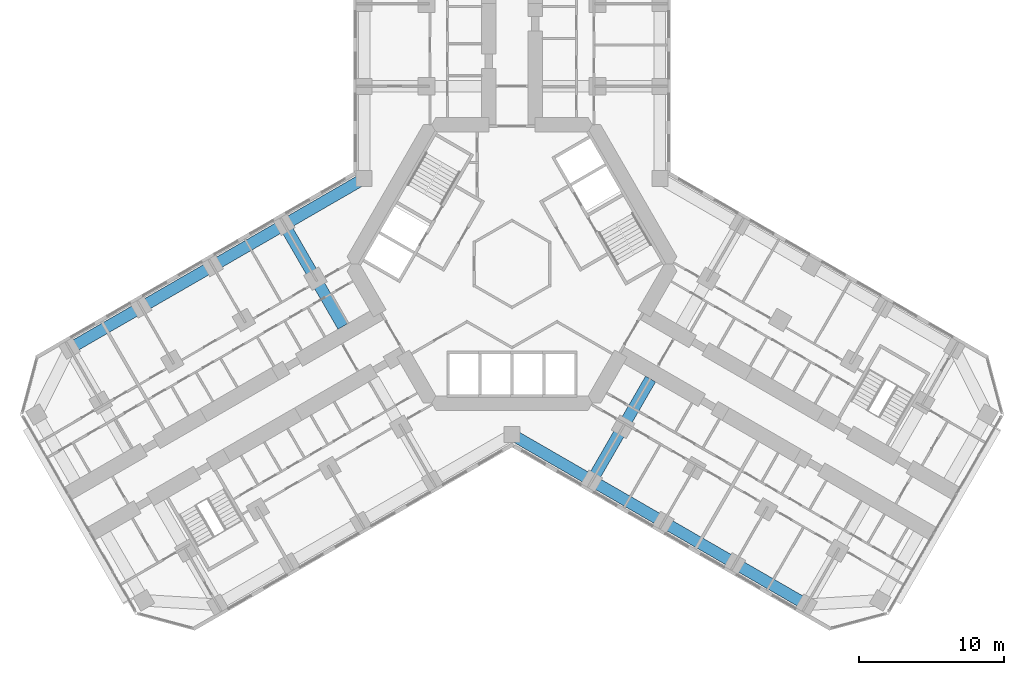
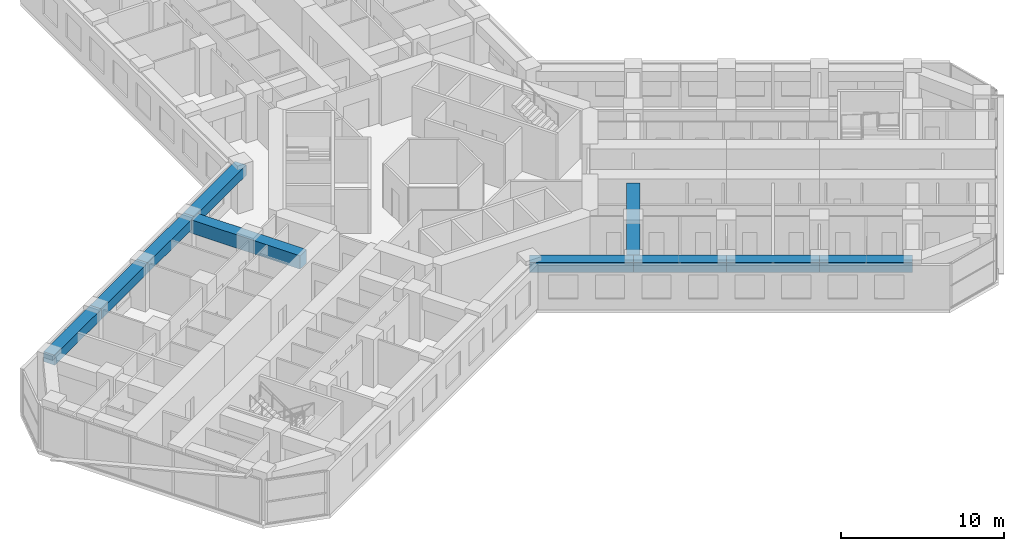
# One storey, part 4 of 21: 10 beams.
"""IFC4 building model written with IfcOpenShell, lengths in metres."""

from ifc_helpers import new_model, si_unit, direction, frame, origin, origin_2d, place, context, subcontext, project, spatial, rectangle, extrude, material, material_profile, profile_set, type_object, element, save


model = new_model("IFC4")

# Units and contexts
model_context = context("Model", 3, precision=1e-05, world=origin(), true_north=direction((0.0, 1.0)))
body_context = subcontext(model_context, "Body", "Model", "MODEL_VIEW")
ifc_project = project(units=[si_unit("LENGTHUNIT", "METRE"), si_unit("AREAUNIT", "SQUARE_METRE"), si_unit("VOLUMEUNIT", "CUBIC_METRE"), si_unit("PLANEANGLEUNIT", "RADIAN"), si_unit("MASSUNIT", "GRAM", prefix="KILO")], contexts=[model_context])

# Site, building, storey
site_placement = place(None, origin())
site = spatial("IfcSite", under=ifc_project, at=site_placement, CompositionType="ELEMENT")
building_placement = place(site_placement, origin())
building = spatial("IfcBuilding", under=site, at=building_placement, Name="Kosmar Iwan School Tower", CompositionType="ELEMENT")
storey_placement = place(building_placement, frame((0.0, 0.0, 28.800048828125)))
storey = spatial("IfcBuildingStorey", under=building, at=storey_placement, Name="L06", CompositionType="ELEMENT", Elevation=28.800048828125)

# Beams
ifc_material_1 = material(Name="Concrete C50/60", Category="concrete")
ifc_material_profile_1 = material_profile(ifc_material_1, rectangle(XDim=0.800048828125, YDim=0.75, at=origin_2d()), Name="RC 800x750 + HD 400x634")
ifc_profile_set_1 = profile_set([ifc_material_profile_1], Name="Concrete C50/60")
beam_type_1 = type_object("IfcBeamType", Name="Composite edge beam 800x750 HD 400x634", PredefinedType="BEAM", material=ifc_profile_set_1)
beam_1_placement = place(storey_placement, frame((-10.199951171875, 5.888916015625, 2.925048828125), z_axis=(-0.866030912664, -0.49999045822, 0.0), x_axis=(0.49999045822, -0.866030912664, 0.0)))
element("IfcBeam", 1, at=beam_1_placement, inside=storey, type_object=beam_type_1, Name="Edge beam BR1", PredefinedType="BEAM", context=body_context, shape_type="SweptSolid", body=[
    extrude(rectangle(XDim=0.800048828125, YDim=0.75, at=origin_2d()), origin(), (0.0, 0.0, 1.0), 6.36083984375),
])
beam_2_placement = place(storey_placement, frame((-15.708740234375, 2.70849609375, 2.925048828125), z_axis=(-0.866025820012, -0.499999279071, 0.0), x_axis=(0.499999279071, -0.866025820012, 0.0)))
element("IfcBeam", 2, at=beam_2_placement, inside=storey, type_object=beam_type_1, Name="Edge beam BR2", PredefinedType="BEAM", context=body_context, shape_type="SweptSolid", body=[
    extrude(rectangle(XDim=0.800048828125, YDim=0.75, at=origin_2d()), origin(), (0.0, 0.0, 1.0), 5.7001953125),
])
for number, where, z_axis, x_axis, name in (
    (3, (-20.645263671875, -0.1416015625, 2.925048828125), (-0.866033658841, -0.49998570155, 0.0), (0.49998570155, -0.866033658841, 0.0), "Edge beam BR3"),
    (4, (-25.58154296875, -2.991455078125, 2.925048828125), (-0.866015111908, -0.50001782563, 0.0), (0.50001782563, -0.866015111908, 0.0), "Edge beam BR4"),
):
    element("IfcBeam", number, at=place(storey_placement, frame(where, z_axis=z_axis, x_axis=x_axis)), inside=storey, type_object=beam_type_1, Name=name, PredefinedType="BEAM", context=body_context, shape_type="SweptSolid", body=[
        extrude(rectangle(XDim=0.800048828125, YDim=0.75, at=origin_2d()), origin(), (0.0, 0.0, 1.0), 5.699951171875),
    ])
beam_3_placement = place(storey_placement, frame((0.0, -11.77783203125, 2.925048828125), z_axis=(0.866014293216, -0.500019243575, 0.0), x_axis=(0.500019243575, 0.866014293216, 0.0)))
element("IfcBeam", 5, at=beam_3_placement, inside=storey, type_object=beam_type_1, Name="Edge beam CR1", PredefinedType="BEAM", context=body_context, shape_type="SweptSolid", body=[
    extrude(rectangle(XDim=0.800048828125, YDim=0.75, at=origin_2d()), origin(), (0.0, 0.0, 1.0), 6.361083984375),
])
beam_4_placement = place(storey_placement, frame((5.5087890625, -14.95849609375, 2.925048828125), z_axis=(0.866033658841, -0.49998570155, 0.0), x_axis=(0.49998570155, 0.866033658841, 0.0)))
element("IfcBeam", 6, at=beam_4_placement, inside=storey, type_object=beam_type_1, Name="Edge beam CR2", PredefinedType="BEAM", context=body_context, shape_type="SweptSolid", body=[
    extrude(rectangle(XDim=0.800048828125, YDim=0.75, at=origin_2d()), origin(), (0.0, 0.0, 1.0), 5.699951171875),
])
beam_5_placement = place(storey_placement, frame((10.445068359375, -17.808349609375, 2.925048828125), z_axis=(0.866025820012, -0.499999279071, 0.0), x_axis=(0.499999279071, 0.866025820012, 0.0)))
element("IfcBeam", 7, at=beam_5_placement, inside=storey, type_object=beam_type_1, Name="Edge beam CR3", PredefinedType="BEAM", context=body_context, shape_type="SweptSolid", body=[
    extrude(rectangle(XDim=0.800048828125, YDim=0.75, at=origin_2d()), origin(), (0.0, 0.0, 1.0), 5.7001953125),
])
beam_6_placement = place(storey_placement, frame((15.381591796875, -20.658447265625, 2.925048828125), z_axis=(0.866015111908, -0.50001782563, 0.0), x_axis=(0.50001782563, 0.866015111908, 0.0)))
element("IfcBeam", 8, at=beam_6_placement, inside=storey, type_object=beam_type_1, Name="Edge beam CR4", PredefinedType="BEAM", context=body_context, shape_type="SweptSolid", body=[
    extrude(rectangle(XDim=0.800048828125, YDim=0.75, at=origin_2d()), origin(), (0.0, 0.0, 1.0), 5.699951171875),
])
ifc_material_2 = material(Name="Concrete C50/60", Category="concrete")
ifc_material_profile_2 = material_profile(ifc_material_2, rectangle(XDim=0.800048828125, YDim=1.0, at=origin_2d()), Name="RC 800x1000 + HD 400x634")
ifc_profile_set_2 = profile_set([ifc_material_profile_2], Name="Concrete C50/60")
beam_type_2 = type_object("IfcBeamType", Name="Composite transverse beam 800x1000 HD 400x634", PredefinedType="BEAM", material=ifc_profile_set_2)
for number, where, z_axis, x_axis, name in (
    (9, (-15.708740234375, 2.70849609375, 2.800048828125), (0.499999880539, -0.866025472755, 0.0), (0.866025472755, 0.499999880539, 0.0), "Transverse beam BR1"),
    (10, (5.5087890625, -14.95849609375, 2.800048828125), (0.499999880539, 0.866025472755, 0.0), (-0.866025472755, 0.499999880539, 0.0), "Transverse beam CR1"),
):
    element("IfcBeam", number, at=place(storey_placement, frame(where, z_axis=z_axis, x_axis=x_axis)), inside=storey, type_object=beam_type_2, Name=name, PredefinedType="BEAM", context=body_context, shape_type="SweptSolid", body=[
        extrude(rectangle(XDim=0.800048828125, YDim=1.0, at=origin_2d()), origin(), (0.0, 0.0, 1.0), 8.10009765625),
    ])

save(model, "model.ifc")
